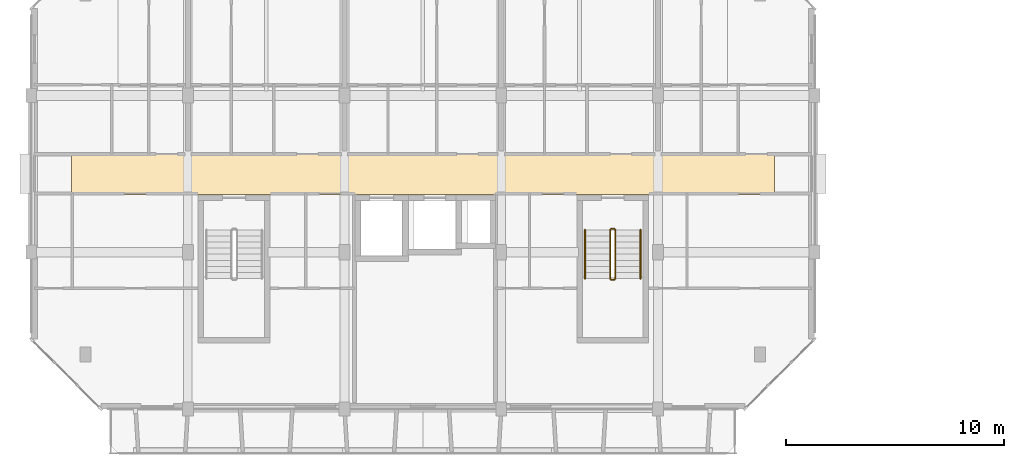
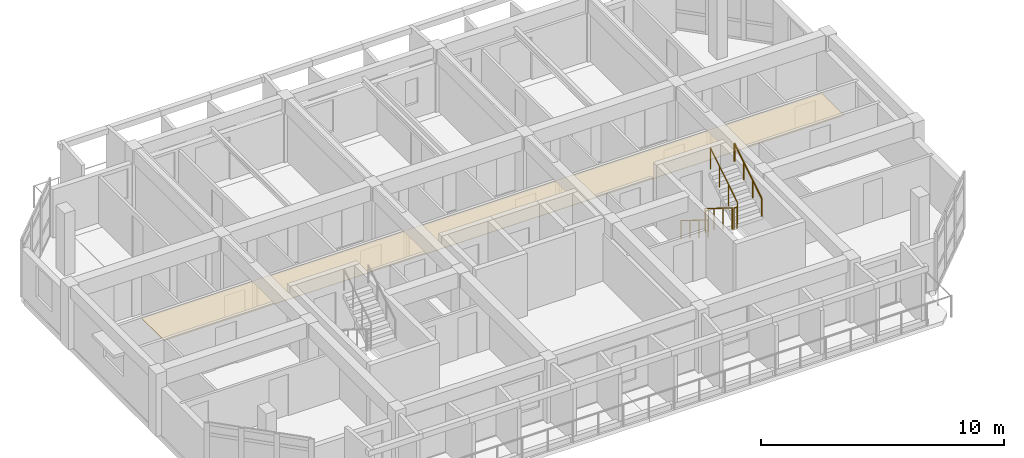
# One storey, part 57 of 64: 6 railings, 1 covering.
"""IFC4 building model written with IfcOpenShell, lengths in metres."""

from ifc_helpers import new_model, si_unit, direction, frame, origin, origin_2d, place, context, subcontext, project, spatial, polyline, circle, outline, extrude, material, layer, layer_set, type_object, element, save


model = new_model("IFC4")

# Units and contexts
model_context = context("Model", 3, precision=1e-05, world=origin(), true_north=direction((0.0, 1.0)))
body_context = subcontext(model_context, "Body", "Model", "MODEL_VIEW")
ifc_project = project(units=[si_unit("LENGTHUNIT", "METRE"), si_unit("AREAUNIT", "SQUARE_METRE"), si_unit("VOLUMEUNIT", "CUBIC_METRE"), si_unit("PLANEANGLEUNIT", "RADIAN"), si_unit("MASSUNIT", "GRAM", prefix="KILO")], contexts=[model_context])

# Site, building, storey
site_placement = place(None, origin())
site = spatial("IfcSite", under=ifc_project, at=site_placement, CompositionType="ELEMENT")
building_placement = place(site_placement, origin())
building = spatial("IfcBuilding", under=site, at=building_placement, Name="Ochrevale Crest", CompositionType="ELEMENT")
storey_placement = place(building_placement, frame((0.0, 0.0, 8.699951171875)))
storey = spatial("IfcBuildingStorey", under=building, at=storey_placement, Name="L02", CompositionType="ELEMENT", Elevation=8.699951171875)

# Covering
ifc_material_1 = material(Name="Gypsum plasterboard", Category="gypsum")
ifc_layer = layer(ifc_material_1, 0.02490234375)
ifc_layer_set = layer_set([ifc_layer], Name="Gypsum plasterboard")
covering_type = type_object("IfcCoveringType", Name="COV-CEIL-GYP", PredefinedType="CEILING", material=ifc_layer_set)
covering_placement = place(storey_placement, frame((0.0, 0.0, 2.280029296875)))
element("IfcCovering", 1, at=covering_placement, inside=storey, type_object=covering_type, Name="Block B L02 acoustic corridor ceiling", PredefinedType="CEILING", context=body_context, shape_type="SweptSolid", body=[
    extrude(outline(polyline([(1.85009765625, 81.860107421875), (34.14990234375, 81.860107421875), (34.14990234375, 83.739990234375), (1.85009765625, 83.739990234375), (1.85009765625, 81.860107421875)])), origin(), (0.0, 0.0, 1.0), 0.02490234375),
])

# Railings
ifc_material_2 = material(Name="Galvanised steel", Category="steel")
railing_type_1 = type_object("IfcRailingType", Name="RL-ST-GUARD", PredefinedType="BALUSTRADE", material=ifc_material_2)
railing_1_placement = place(storey_placement, frame((26.60009765625, 80.22509765625, 0.175048828125)))
element("IfcRailing", 2, at=railing_1_placement, inside=storey, type_object=railing_type_1, Name="L02 ST-B2 stair guard 1", PredefinedType="BALUSTRADE", context=body_context, shape_type="SweptSolid", body=[
    extrude(circle(Radius=0.02392578125, at=origin_2d()), frame((0.0, 0.0, 1.076171875), z_axis=(0.0, -0.848013881152, 0.529974015752), x_axis=(1.0, 0.0, 0.0)), (0.0, 0.0, 1.0), 2.641357421875),
    extrude(circle(Radius=0.02099609375, at=origin_2d()), origin(), (0.0, 0.0, 1.0), 1.052001953125),
    extrude(circle(Radius=0.02099609375, at=origin_2d()), frame((0.0, -0.74658203125, 0.466552734375)), (0.0, 0.0, 1.0), 1.052001953125),
    extrude(circle(Radius=0.02099609375, at=origin_2d()), frame((0.0, -1.493408203125, 0.933349609375)), (0.0, 0.0, 1.0), 1.052001953125),
    extrude(circle(Radius=0.02099609375, at=origin_2d()), frame((0.0, -2.239990234375, 1.39990234375)), (0.0, 0.0, 1.0), 1.052001953125),
])
railing_2_placement = place(storey_placement, frame((26.64990234375, 77.93505859375, 1.574951171875)))
element("IfcRailing", 3, at=railing_2_placement, inside=storey, type_object=railing_type_1, Name="L02 ST-B2 stair guard 2", PredefinedType="BALUSTRADE", context=body_context, shape_type="SweptSolid", body=[
    extrude(circle(Radius=0.02392578125, at=origin_2d()), frame((0.0, 0.0, 1.076171875), z_axis=(1.0, 0.0, 0.0), x_axis=(0.0, 1.0, 0.0)), (0.0, 0.0, 1.0), 0.150146484375),
    extrude(circle(Radius=0.02099609375, at=origin_2d()), origin(), (0.0, 0.0, 1.0), 1.052001953125),
    extrude(circle(Radius=0.02099609375, at=origin_2d()), frame((0.150146484375, 0.0, 0.0)), (0.0, 0.0, 1.0), 1.052001953125),
])
railing_3_placement = place(storey_placement, frame((26.85009765625, 77.985107421875, 1.75)))
element("IfcRailing", 4, at=railing_3_placement, inside=storey, type_object=railing_type_1, Name="L02 ST-B2 stair guard 3", PredefinedType="BALUSTRADE", context=body_context, shape_type="SweptSolid", body=[
    extrude(circle(Radius=0.02392578125, at=origin_2d()), frame((0.0, 0.0, 1.076171875), z_axis=(0.0, 0.847972341737, 0.530040477369), x_axis=(-1.0, 0.0, 0.0)), (0.0, 0.0, 1.0), 2.6416015625),
    extrude(circle(Radius=0.02099609375, at=origin_2d()), origin(), (0.0, 0.0, 1.0), 1.052001953125),
    extrude(circle(Radius=0.02099609375, at=origin_2d()), frame((0.0, 0.74658203125, 0.466796875)), (0.0, 0.0, 1.0), 1.052001953125),
    extrude(circle(Radius=0.02099609375, at=origin_2d()), frame((0.0, 1.493408203125, 0.933349609375)), (0.0, 0.0, 1.0), 1.052001953125),
    extrude(circle(Radius=0.02099609375, at=origin_2d()), frame((0.0, 2.239990234375, 1.400146484375)), (0.0, 0.0, 1.0), 1.052001953125),
])
railing_4_placement = place(storey_placement, frame((26.64990234375, 80.27490234375, 0.0)))
element("IfcRailing", 5, at=railing_4_placement, inside=storey, type_object=railing_type_1, Name="L02 ST-B2 stair guard 4", PredefinedType="BALUSTRADE", context=body_context, shape_type="SweptSolid", body=[
    extrude(circle(Radius=0.02392578125, at=origin_2d()), frame((0.0, 0.0, 1.076171875), z_axis=(1.0, 0.0, 0.0), x_axis=(0.0, 1.0, 0.0)), (0.0, 0.0, 1.0), 0.150146484375),
    extrude(circle(Radius=0.02099609375, at=origin_2d()), origin(), (0.0, 0.0, 1.0), 1.052001953125),
    extrude(circle(Radius=0.02099609375, at=origin_2d()), frame((0.150146484375, 0.0, 0.0)), (0.0, 0.0, 1.0), 1.052001953125),
])
ifc_material_3 = material(Name="Stainless steel", Category="steel")
railing_type_2 = type_object("IfcRailingType", Name="RL-ST-HRAIL", PredefinedType="HANDRAIL", material=ifc_material_3)
railing_5_placement = place(storey_placement, frame((25.449951171875, 80.22509765625, 0.175048828125)))
element("IfcRailing", 6, at=railing_5_placement, inside=storey, type_object=railing_type_2, Name="L02 ST-B2 stair handrail 1", PredefinedType="HANDRAIL", context=body_context, shape_type="SweptSolid", body=[
    extrude(circle(Radius=0.02392578125, at=origin_2d()), frame((0.0, 0.0, 0.8759765625), z_axis=(0.0, -0.848013881152, 0.529974015752), x_axis=(1.0, 0.0, 0.0)), (0.0, 0.0, 1.0), 2.641357421875),
    extrude(circle(Radius=0.02099609375, at=origin_2d()), origin(), (0.0, 0.0, 1.0), 0.851806640625),
    extrude(circle(Radius=0.02099609375, at=origin_2d()), frame((0.0, -0.74658203125, 0.466552734375)), (0.0, 0.0, 1.0), 0.851806640625),
    extrude(circle(Radius=0.02099609375, at=origin_2d()), frame((0.0, -1.493408203125, 0.933349609375)), (0.0, 0.0, 1.0), 0.851806640625),
    extrude(circle(Radius=0.02099609375, at=origin_2d()), frame((0.0, -2.239990234375, 1.39990234375)), (0.0, 0.0, 1.0), 0.851806640625),
])
railing_6_placement = place(storey_placement, frame((28.0, 77.985107421875, 1.75)))
element("IfcRailing", 7, at=railing_6_placement, inside=storey, type_object=railing_type_2, Name="L02 ST-B2 stair handrail 2", PredefinedType="HANDRAIL", context=body_context, shape_type="SweptSolid", body=[
    extrude(circle(Radius=0.02392578125, at=origin_2d()), frame((0.0, 0.0, 0.8759765625), z_axis=(0.0, 0.847972341737, 0.530040477369), x_axis=(-1.0, 0.0, 0.0)), (0.0, 0.0, 1.0), 2.6416015625),
    extrude(circle(Radius=0.02099609375, at=origin_2d()), origin(), (0.0, 0.0, 1.0), 0.851806640625),
    extrude(circle(Radius=0.02099609375, at=origin_2d()), frame((0.0, 0.74658203125, 0.466796875)), (0.0, 0.0, 1.0), 0.851806640625),
    extrude(circle(Radius=0.02099609375, at=origin_2d()), frame((0.0, 1.493408203125, 0.933349609375)), (0.0, 0.0, 1.0), 0.851806640625),
    extrude(circle(Radius=0.02099609375, at=origin_2d()), frame((0.0, 2.239990234375, 1.400146484375)), (0.0, 0.0, 1.0), 0.851806640625),
])

save(model, "model.ifc")
